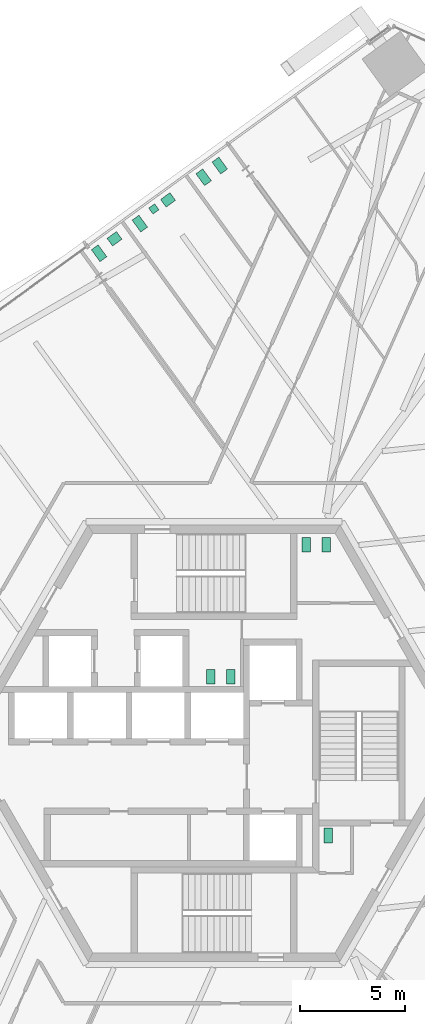
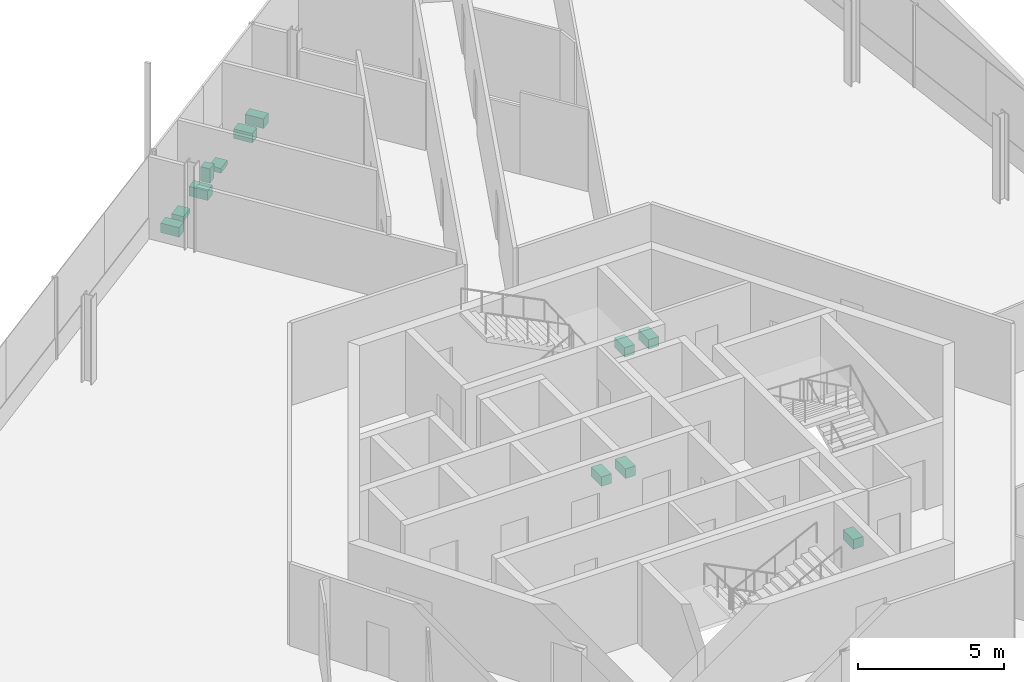
# One storey, part 24 of 24: 12 sanitary terminals.
"""IFC4 building model written with IfcOpenShell, lengths in metres."""

from ifc_helpers import new_model, si_unit, direction, frame, origin, origin_2d, place, context, subcontext, project, spatial, rectangle, extrude, source, transform, mapped, material, element, save


model = new_model("IFC4")

# Units and contexts
model_context = context("Model", 3, precision=1e-05, world=origin(), true_north=direction((0.0, 1.0)))
body_context = subcontext(model_context, "Body", "Model", "MODEL_VIEW")
ifc_project = project(units=[si_unit("LENGTHUNIT", "METRE"), si_unit("AREAUNIT", "SQUARE_METRE"), si_unit("VOLUMEUNIT", "CUBIC_METRE"), si_unit("PLANEANGLEUNIT", "RADIAN"), si_unit("MASSUNIT", "GRAM", prefix="KILO")], contexts=[model_context])

# Site, building, storey
site_placement = place(None, origin())
site = spatial("IfcSite", under=ifc_project, at=site_placement, CompositionType="ELEMENT")
building_placement = place(site_placement, origin())
building = spatial("IfcBuilding", under=site, at=building_placement, Name="Triune Harvest Tower", CompositionType="ELEMENT")
storey_placement = place(building_placement, frame((0.0, 0.0, 58.5)))
storey = spatial("IfcBuildingStorey", under=building, at=storey_placement, Name="L13", CompositionType="ELEMENT", Elevation=58.5)

# Sanitary terminals
ifc_material = material(Name="Vitreous china")
shared_shape_1 = source(origin(), body_context, "Body", "SweptSolid", [
    extrude(rectangle(XDim=0.39990234375, YDim=0.699951171875, at=origin_2d()), origin(), (0.0, 0.0, 1.0), 0.39990234375),
])
for number, where, z_axis, x_axis, name in (
    (1, (4.39990234375, 9.449951171875, 0.0), (0.0, 0.0, 1.0), (1.0, 0.0, 0.0), "Toilet pan L13.c01"),
    (2, (5.35009765625, 9.449951171875, 0.0), (0.0, 0.0, 1.0), (1.0, 0.0, 0.0), "Toilet pan L13.c02"),
    (3, (0.800048828125, 3.159912109375, 0.0), (0.0, 0.0, 1.0), (-1.0, 0.0, 0.0), "Toilet pan L13.c03"),
    (4, (-0.14990234375, 3.159912109375, 0.0), (0.0, 0.0, 1.0), (-1.0, 0.0, 0.0), "Toilet pan L13.c04"),
    (5, (5.449951171875, -4.39990234375, 0.0), (0.0, 0.0, 1.0), (1.0, 0.0, 0.0), "Toilet pan L13.c05"),
    (6, (-0.49365234375, 26.95556640625, 0.0), (0.0, 0.0, 1.0), (0.809006735464, 0.587799372213, 0.0), "Toilet pan 01"),
    (7, (0.27490234375, 27.513916015625, 0.0), (0.0, 0.0, 1.0), (0.809006735464, 0.587799372213, 0.0), "Toilet pan 02"),
    (8, (-3.533447265625, 24.7470703125, 0.0), (0.0, 0.0, 1.0), (0.80902725304, 0.587771132193, 0.0), "Toilet pan 03"),
    (9, (-5.47509765625, 23.33642578125, 0.0), (0.0, 0.0, 1.0), (0.809006735464, 0.587799372213, 0.0), "Toilet pan 06"),
):
    element("IfcSanitaryTerminal", number, at=place(storey_placement, frame(where, z_axis=z_axis, x_axis=x_axis)), inside=storey, material=ifc_material, Name=name, PredefinedType="TOILETPAN", context=body_context, shape_type="MappedRepresentation", body=[
        mapped(shared_shape_1, transform((0.0, 0.0, 0.0), scale=1.0)),
    ])
shared_shape_2 = source(origin(), body_context, "Body", "SweptSolid", [
    extrude(rectangle(XDim=0.35009765625, YDim=0.35009765625, at=origin_2d()), origin(), (0.0, 0.0, 1.0), 0.60009765625),
])
sanitary_terminal_placement = place(storey_placement, frame((-2.867919921875, 25.447021484375, 0.0), z_axis=(0.0, 0.0, 1.0), x_axis=(0.80902725304, 0.587771132193, 0.0)))
element("IfcSanitaryTerminal", 10, at=sanitary_terminal_placement, inside=storey, material=ifc_material, Name="Urinal 04", PredefinedType="URINAL", context=body_context, shape_type="MappedRepresentation", body=[
    mapped(shared_shape_2, transform((0.0, 0.0, 0.0), scale=1.0)),
])
shared_shape_3 = source(origin(), body_context, "Body", "SweptSolid", [
    extrude(rectangle(XDim=0.550048828125, YDim=0.449951171875, at=origin_2d()), origin(), (0.0, 0.0, 1.0), 0.199951171875),
])
for number, where, z_axis, x_axis, name in (
    (11, (-2.191162109375, 25.876708984375, 0.0), (0.0, 0.0, 1.0), (0.80902725304, 0.587771132193, 0.0), "Wash basin 05"),
    (12, (-4.739501953125, 24.025390625, 0.0), (0.0, 0.0, 1.0), (0.809006735464, 0.587799372213, 0.0), "Wash basin 07"),
):
    element("IfcSanitaryTerminal", number, at=place(storey_placement, frame(where, z_axis=z_axis, x_axis=x_axis)), inside=storey, material=ifc_material, Name=name, PredefinedType="WASHHANDBASIN", context=body_context, shape_type="MappedRepresentation", body=[
        mapped(shared_shape_3, transform((0.0, 0.0, 0.0), scale=1.0)),
    ])

save(model, "model.ifc")
